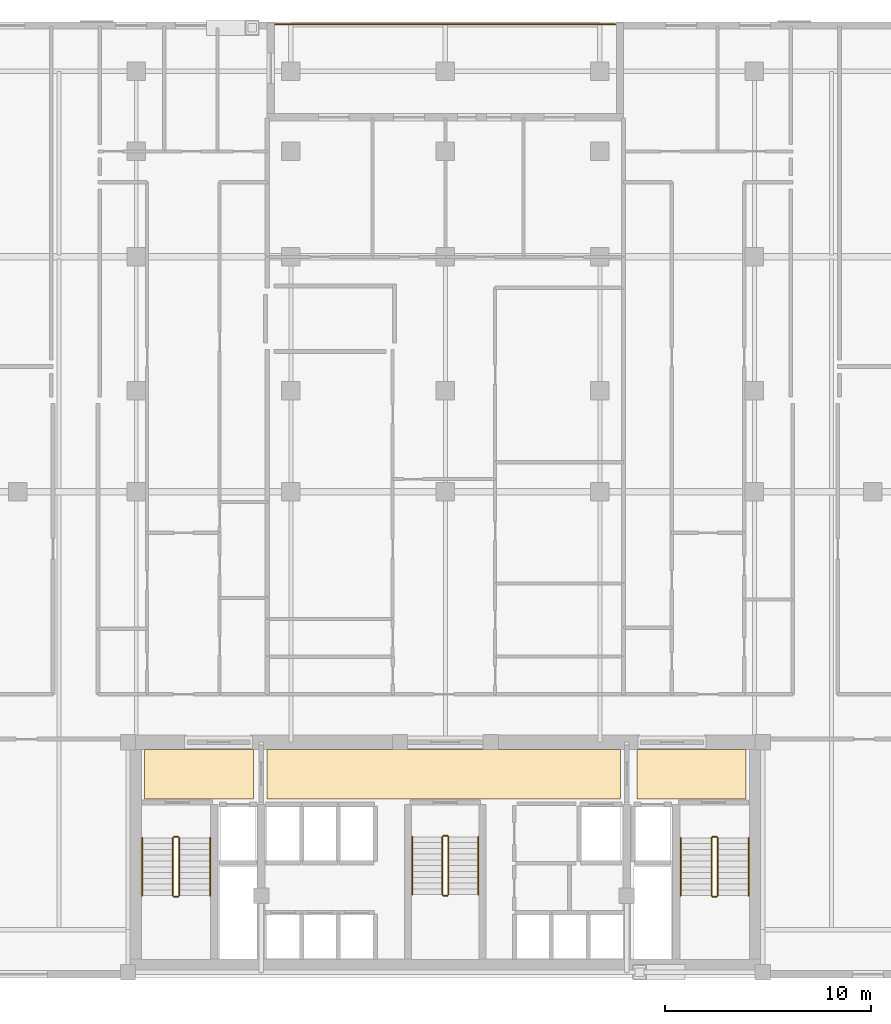
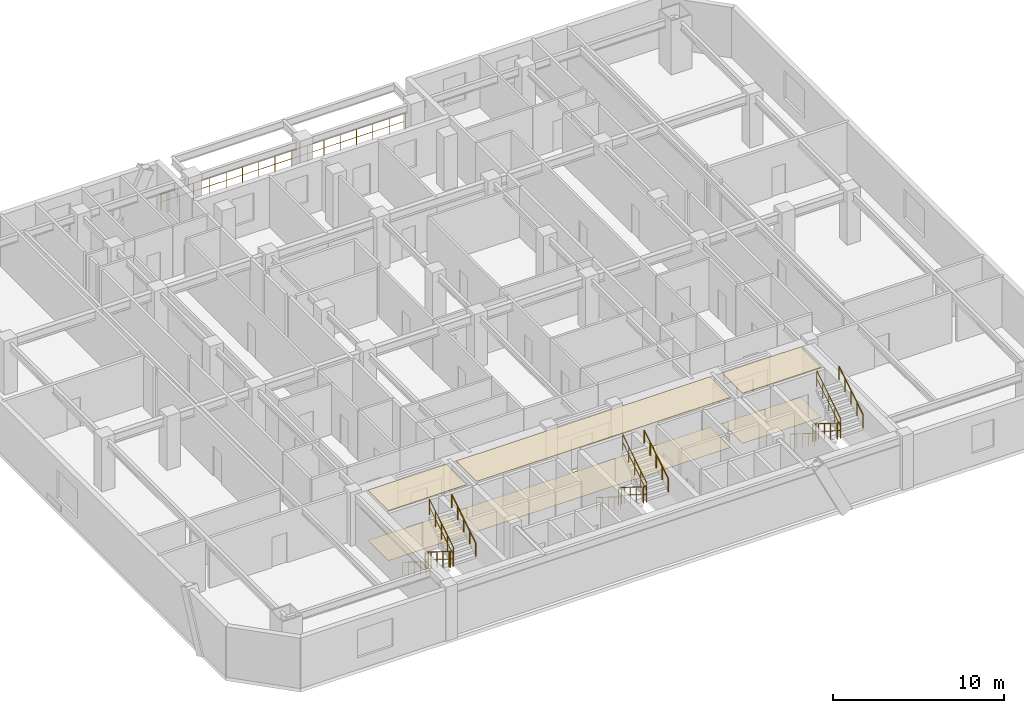
# One storey, part 9 of 9: 19 railings, 6 coverings.
"""IFC4 building model written with IfcOpenShell, lengths in metres."""

from ifc_helpers import new_model, si_unit, direction, frame, origin, origin_2d, place, context, subcontext, project, spatial, polyline, circle, outline, extrude, material, layer, layer_set, type_object, element, save


model = new_model("IFC4")

# Units and contexts
model_context = context("Model", 3, precision=1e-05, world=origin(), true_north=direction((0.0, 1.0)))
body_context = subcontext(model_context, "Body", "Model", "MODEL_VIEW")
ifc_project = project(units=[si_unit("LENGTHUNIT", "METRE"), si_unit("AREAUNIT", "SQUARE_METRE"), si_unit("VOLUMEUNIT", "CUBIC_METRE"), si_unit("PLANEANGLEUNIT", "RADIAN"), si_unit("MASSUNIT", "GRAM", prefix="KILO")], contexts=[model_context])

# Site, building, storey
site_placement = place(None, origin())
site = spatial("IfcSite", under=ifc_project, at=site_placement, CompositionType="ELEMENT")
building_placement = place(site_placement, origin())
building = spatial("IfcBuilding", under=site, at=building_placement, Name="Ventersveld Concourse Tower", CompositionType="ELEMENT")
storey_placement = place(building_placement, frame((0.0, 0.0, 68.300048828125)))
storey = spatial("IfcBuildingStorey", under=building, at=storey_placement, Name="L16", CompositionType="ELEMENT", Elevation=68.300048828125)

# Coverings
ifc_material_1 = material(Name="Mineral-fibre acoustic ceiling tile", Category="gypsum")
ifc_layer_1 = layer(ifc_material_1, 0.0400390625)
ifc_layer_set_1 = layer_set([ifc_layer_1], Name="Mineral-fibre acoustic ceiling tile")
covering_type_1 = type_object("IfcCoveringType", Name="COV-CEIL-ACOUSTIC", PredefinedType="CEILING", material=ifc_layer_set_1)
covering_1_placement = place(storey_placement, frame((0.0, 0.0, 3.56005859375)))
element("IfcCovering", 1, at=covering_1_placement, inside=storey, type_object=covering_type_1, Name="L16 North Lift Lobby Acoustic Ceiling", PredefinedType="CEILING", context=body_context, shape_type="SweptSolid", body=[
    extrude(outline(polyline([(20.10009765625, 8.699951171875), (37.25, 8.699951171875), (37.25, 11.10009765625), (20.10009765625, 11.10009765625), (20.10009765625, 8.699951171875)])), origin(), (0.0, 0.0, 1.0), 0.039794921875),
])
covering_2_placement = place(storey_placement, frame((0.0, 0.0, 3.56005859375)))
element("IfcCovering", 2, at=covering_2_placement, inside=storey, type_object=covering_type_1, Name="L16 West Firefighting Lobby Acoustic Ceiling", PredefinedType="CEILING", context=body_context, shape_type="SweptSolid", body=[
    extrude(outline(polyline([(14.14990234375, 8.699951171875), (19.449951171875, 8.699951171875), (19.449951171875, 11.10009765625), (14.14990234375, 11.10009765625), (14.14990234375, 8.699951171875)])), origin(), (0.0, 0.0, 1.0), 0.039794921875),
])
covering_3_placement = place(storey_placement, frame((0.0, 0.0, 3.56005859375)))
element("IfcCovering", 3, at=covering_3_placement, inside=storey, type_object=covering_type_1, Name="L16 East Firefighting Lobby Acoustic Ceiling", PredefinedType="CEILING", context=body_context, shape_type="SweptSolid", body=[
    extrude(outline(polyline([(38.050048828125, 8.699951171875), (43.35009765625, 8.699951171875), (43.35009765625, 11.10009765625), (38.050048828125, 11.10009765625), (38.050048828125, 8.699951171875)])), origin(), (0.0, 0.0, 1.0), 0.039794921875),
])
ifc_material_2 = material(Name="Polished Highveld granite terrazzo", Category="masonry")
ifc_layer_2 = layer(ifc_material_2, 0.02001953125)
ifc_layer_set_2 = layer_set([ifc_layer_2], Name="Polished Highveld granite terrazzo")
covering_type_2 = type_object("IfcCoveringType", Name="COV-FLOOR-TERRAZZO", PredefinedType="FLOORING", material=ifc_layer_set_2)
covering_4_placement = place(storey_placement, origin())
element("IfcCovering", 4, at=covering_4_placement, inside=storey, type_object=covering_type_2, Name="L16 North Lift Lobby Terrazzo Flooring", PredefinedType="FLOORING", context=body_context, shape_type="SweptSolid", body=[
    extrude(outline(polyline([(20.10009765625, 8.699951171875), (37.25, 8.699951171875), (37.25, 11.10009765625), (20.10009765625, 11.10009765625), (20.10009765625, 8.699951171875)])), origin(), (0.0, 0.0, 1.0), 0.02001953125),
])
covering_5_placement = place(storey_placement, origin())
element("IfcCovering", 5, at=covering_5_placement, inside=storey, type_object=covering_type_2, Name="L16 West Firefighting Lobby Terrazzo Flooring", PredefinedType="FLOORING", context=body_context, shape_type="SweptSolid", body=[
    extrude(outline(polyline([(14.14990234375, 8.699951171875), (19.449951171875, 8.699951171875), (19.449951171875, 11.10009765625), (14.14990234375, 11.10009765625), (14.14990234375, 8.699951171875)])), origin(), (0.0, 0.0, 1.0), 0.02001953125),
])
covering_6_placement = place(storey_placement, origin())
element("IfcCovering", 6, at=covering_6_placement, inside=storey, type_object=covering_type_2, Name="L16 East Firefighting Lobby Terrazzo Flooring", PredefinedType="FLOORING", context=body_context, shape_type="SweptSolid", body=[
    extrude(outline(polyline([(38.050048828125, 8.699951171875), (43.35009765625, 8.699951171875), (43.35009765625, 11.10009765625), (38.050048828125, 11.10009765625), (38.050048828125, 8.699951171875)])), origin(), (0.0, 0.0, 1.0), 0.02001953125),
])

# Railings
ifc_material_3 = material(Name="Brushed stainless steel 316", Category="steel")
railing_type_1 = type_object("IfcRailingType", Name="GD-BAL-115", PredefinedType="GUARDRAIL", material=ifc_material_3)
railing_1_placement = place(storey_placement, frame((15.530029296875, 6.800048828125, 0.175048828125)))
element("IfcRailing", 7, at=railing_1_placement, inside=storey, type_object=railing_type_1, Name="L16 ST-01 stair guard 1", PredefinedType="GUARDRAIL", context=body_context, shape_type="SweptSolid", body=[
    extrude(circle(Radius=0.02392578125, at=origin_2d()), frame((0.0, 0.0, 1.1259765625), z_axis=(0.0, -0.848002457836, 0.529992293815), x_axis=(1.0, 0.0, 0.0)), (0.0, 0.0, 1.0), 3.302001953125),
    extrude(circle(Radius=0.01611328125, at=origin_2d()), frame((0.0, 0.0, 0.574951171875), z_axis=(0.0, -0.848002457836, 0.529992293815), x_axis=(1.0, 0.0, 0.0)), (0.0, 0.0, 1.0), 3.302001953125),
    extrude(circle(Radius=0.02099609375, at=origin_2d()), origin(), (0.0, 0.0, 1.0), 1.101806640625),
    extrude(circle(Radius=0.02099609375, at=origin_2d()), frame((0.0, -0.699951171875, 0.4375)), (0.0, 0.0, 1.0), 1.101806640625),
    extrude(circle(Radius=0.02099609375, at=origin_2d()), frame((0.0, -1.39990234375, 0.875)), (0.0, 0.0, 1.0), 1.101806640625),
    extrude(circle(Radius=0.02099609375, at=origin_2d()), frame((0.0, -2.10009765625, 1.3125)), (0.0, 0.0, 1.0), 1.101806640625),
    extrude(circle(Radius=0.02099609375, at=origin_2d()), frame((0.0, -2.800048828125, 1.75)), (0.0, 0.0, 1.0), 1.101806640625),
])
railing_2_placement = place(storey_placement, frame((15.580078125, 3.949951171875, 1.925048828125)))
element("IfcRailing", 8, at=railing_2_placement, inside=storey, type_object=railing_type_1, Name="L16 ST-01 stair guard 2", PredefinedType="GUARDRAIL", context=body_context, shape_type="SweptSolid", body=[
    extrude(circle(Radius=0.02392578125, at=origin_2d()), frame((0.0, 0.0, 1.1259765625), z_axis=(1.0, 0.0, 0.0), x_axis=(0.0, 1.0, 0.0)), (0.0, 0.0, 1.0), 0.199951171875),
    extrude(circle(Radius=0.01611328125, at=origin_2d()), frame((0.0, 0.0, 0.574951171875), z_axis=(1.0, 0.0, 0.0), x_axis=(0.0, 1.0, 0.0)), (0.0, 0.0, 1.0), 0.199951171875),
    extrude(circle(Radius=0.02099609375, at=origin_2d()), origin(), (0.0, 0.0, 1.0), 1.101806640625),
    extrude(circle(Radius=0.02099609375, at=origin_2d()), frame((0.199951171875, 0.0, 0.0)), (0.0, 0.0, 1.0), 1.101806640625),
])
railing_3_placement = place(storey_placement, frame((15.830078125, 4.0, 2.099853515625)))
element("IfcRailing", 9, at=railing_3_placement, inside=storey, type_object=railing_type_1, Name="L16 ST-01 stair guard 3", PredefinedType="GUARDRAIL", context=body_context, shape_type="SweptSolid", body=[
    extrude(circle(Radius=0.02392578125, at=origin_2d()), frame((0.0, 0.0, 1.1259765625), z_axis=(0.0, 0.848002457836, 0.529992293815), x_axis=(-1.0, 0.0, 0.0)), (0.0, 0.0, 1.0), 3.302001953125),
    extrude(circle(Radius=0.01611328125, at=origin_2d()), frame((0.0, 0.0, 0.574951171875), z_axis=(0.0, 0.848002457836, 0.529992293815), x_axis=(-1.0, 0.0, 0.0)), (0.0, 0.0, 1.0), 3.302001953125),
    extrude(circle(Radius=0.02099609375, at=origin_2d()), origin(), (0.0, 0.0, 1.0), 1.101806640625),
    extrude(circle(Radius=0.02099609375, at=origin_2d()), frame((0.0, 0.699951171875, 0.4375)), (0.0, 0.0, 1.0), 1.101806640625),
    extrude(circle(Radius=0.02099609375, at=origin_2d()), frame((0.0, 1.39990234375, 0.875)), (0.0, 0.0, 1.0), 1.101806640625),
    extrude(circle(Radius=0.02099609375, at=origin_2d()), frame((0.0, 2.10009765625, 1.3125)), (0.0, 0.0, 1.0), 1.101806640625),
    extrude(circle(Radius=0.02099609375, at=origin_2d()), frame((0.0, 2.800048828125, 1.75)), (0.0, 0.0, 1.0), 1.101806640625),
])
railing_4_placement = place(storey_placement, frame((15.580078125, 6.85009765625, 0.0)))
element("IfcRailing", 10, at=railing_4_placement, inside=storey, type_object=railing_type_1, Name="L16 ST-01 stair guard 4", PredefinedType="GUARDRAIL", context=body_context, shape_type="SweptSolid", body=[
    extrude(circle(Radius=0.02392578125, at=origin_2d()), frame((0.0, 0.0, 1.1259765625), z_axis=(1.0, 0.0, 0.0), x_axis=(0.0, 1.0, 0.0)), (0.0, 0.0, 1.0), 0.199951171875),
    extrude(circle(Radius=0.01611328125, at=origin_2d()), frame((0.0, 0.0, 0.574951171875), z_axis=(1.0, 0.0, 0.0), x_axis=(0.0, 1.0, 0.0)), (0.0, 0.0, 1.0), 0.199951171875),
    extrude(circle(Radius=0.02099609375, at=origin_2d()), origin(), (0.0, 0.0, 1.0), 1.101806640625),
    extrude(circle(Radius=0.02099609375, at=origin_2d()), frame((0.199951171875, 0.0, 0.0)), (0.0, 0.0, 1.0), 1.101806640625),
])
railing_5_placement = place(storey_placement, frame((41.669921875, 6.800048828125, 0.175048828125)))
element("IfcRailing", 11, at=railing_5_placement, inside=storey, type_object=railing_type_1, Name="L16 ST-02 stair guard 1", PredefinedType="GUARDRAIL", context=body_context, shape_type="SweptSolid", body=[
    extrude(circle(Radius=0.02392578125, at=origin_2d()), frame((0.0, 0.0, 1.1259765625), z_axis=(0.0, -0.848002457836, 0.529992293815), x_axis=(1.0, 0.0, 0.0)), (0.0, 0.0, 1.0), 3.302001953125),
    extrude(circle(Radius=0.01611328125, at=origin_2d()), frame((0.0, 0.0, 0.574951171875), z_axis=(0.0, -0.848002457836, 0.529992293815), x_axis=(1.0, 0.0, 0.0)), (0.0, 0.0, 1.0), 3.302001953125),
    extrude(circle(Radius=0.02099609375, at=origin_2d()), origin(), (0.0, 0.0, 1.0), 1.101806640625),
    extrude(circle(Radius=0.02099609375, at=origin_2d()), frame((0.0, -0.699951171875, 0.4375)), (0.0, 0.0, 1.0), 1.101806640625),
    extrude(circle(Radius=0.02099609375, at=origin_2d()), frame((0.0, -1.39990234375, 0.875)), (0.0, 0.0, 1.0), 1.101806640625),
    extrude(circle(Radius=0.02099609375, at=origin_2d()), frame((0.0, -2.10009765625, 1.3125)), (0.0, 0.0, 1.0), 1.101806640625),
    extrude(circle(Radius=0.02099609375, at=origin_2d()), frame((0.0, -2.800048828125, 1.75)), (0.0, 0.0, 1.0), 1.101806640625),
])
railing_6_placement = place(storey_placement, frame((41.719970703125, 3.949951171875, 1.925048828125)))
element("IfcRailing", 12, at=railing_6_placement, inside=storey, type_object=railing_type_1, Name="L16 ST-02 stair guard 2", PredefinedType="GUARDRAIL", context=body_context, shape_type="SweptSolid", body=[
    extrude(circle(Radius=0.02392578125, at=origin_2d()), frame((0.0, 0.0, 1.1259765625), z_axis=(1.0, 0.0, 0.0), x_axis=(0.0, 1.0, 0.0)), (0.0, 0.0, 1.0), 0.199951171875),
    extrude(circle(Radius=0.01611328125, at=origin_2d()), frame((0.0, 0.0, 0.574951171875), z_axis=(1.0, 0.0, 0.0), x_axis=(0.0, 1.0, 0.0)), (0.0, 0.0, 1.0), 0.199951171875),
    extrude(circle(Radius=0.02099609375, at=origin_2d()), origin(), (0.0, 0.0, 1.0), 1.101806640625),
    extrude(circle(Radius=0.02099609375, at=origin_2d()), frame((0.199951171875, 0.0, 0.0)), (0.0, 0.0, 1.0), 1.101806640625),
])
railing_7_placement = place(storey_placement, frame((41.969970703125, 4.0, 2.099853515625)))
element("IfcRailing", 13, at=railing_7_placement, inside=storey, type_object=railing_type_1, Name="L16 ST-02 stair guard 3", PredefinedType="GUARDRAIL", context=body_context, shape_type="SweptSolid", body=[
    extrude(circle(Radius=0.02392578125, at=origin_2d()), frame((0.0, 0.0, 1.1259765625), z_axis=(0.0, 0.848002457836, 0.529992293815), x_axis=(-1.0, 0.0, 0.0)), (0.0, 0.0, 1.0), 3.302001953125),
    extrude(circle(Radius=0.01611328125, at=origin_2d()), frame((0.0, 0.0, 0.574951171875), z_axis=(0.0, 0.848002457836, 0.529992293815), x_axis=(-1.0, 0.0, 0.0)), (0.0, 0.0, 1.0), 3.302001953125),
    extrude(circle(Radius=0.02099609375, at=origin_2d()), origin(), (0.0, 0.0, 1.0), 1.101806640625),
    extrude(circle(Radius=0.02099609375, at=origin_2d()), frame((0.0, 0.699951171875, 0.4375)), (0.0, 0.0, 1.0), 1.101806640625),
    extrude(circle(Radius=0.02099609375, at=origin_2d()), frame((0.0, 1.39990234375, 0.875)), (0.0, 0.0, 1.0), 1.101806640625),
    extrude(circle(Radius=0.02099609375, at=origin_2d()), frame((0.0, 2.10009765625, 1.3125)), (0.0, 0.0, 1.0), 1.101806640625),
    extrude(circle(Radius=0.02099609375, at=origin_2d()), frame((0.0, 2.800048828125, 1.75)), (0.0, 0.0, 1.0), 1.101806640625),
])
railing_8_placement = place(storey_placement, frame((41.719970703125, 6.85009765625, 0.0)))
element("IfcRailing", 14, at=railing_8_placement, inside=storey, type_object=railing_type_1, Name="L16 ST-02 stair guard 4", PredefinedType="GUARDRAIL", context=body_context, shape_type="SweptSolid", body=[
    extrude(circle(Radius=0.02392578125, at=origin_2d()), frame((0.0, 0.0, 1.1259765625), z_axis=(1.0, 0.0, 0.0), x_axis=(0.0, 1.0, 0.0)), (0.0, 0.0, 1.0), 0.199951171875),
    extrude(circle(Radius=0.01611328125, at=origin_2d()), frame((0.0, 0.0, 0.574951171875), z_axis=(1.0, 0.0, 0.0), x_axis=(0.0, 1.0, 0.0)), (0.0, 0.0, 1.0), 0.199951171875),
    extrude(circle(Radius=0.02099609375, at=origin_2d()), origin(), (0.0, 0.0, 1.0), 1.101806640625),
    extrude(circle(Radius=0.02099609375, at=origin_2d()), frame((0.199951171875, 0.0, 0.0)), (0.0, 0.0, 1.0), 1.101806640625),
])
railing_9_placement = place(storey_placement, frame((28.60009765625, 6.85009765625, 0.175048828125)))
element("IfcRailing", 15, at=railing_9_placement, inside=storey, type_object=railing_type_1, Name="L16 ST-03 stair guard 1", PredefinedType="GUARDRAIL", context=body_context, shape_type="SweptSolid", body=[
    extrude(circle(Radius=0.02392578125, at=origin_2d()), frame((0.0, 0.0, 1.1259765625), z_axis=(0.0, -0.848002457836, 0.529992293815), x_axis=(1.0, 0.0, 0.0)), (0.0, 0.0, 1.0), 3.302001953125),
    extrude(circle(Radius=0.01611328125, at=origin_2d()), frame((0.0, 0.0, 0.574951171875), z_axis=(0.0, -0.848002457836, 0.529992293815), x_axis=(1.0, 0.0, 0.0)), (0.0, 0.0, 1.0), 3.302001953125),
    extrude(circle(Radius=0.02099609375, at=origin_2d()), origin(), (0.0, 0.0, 1.0), 1.101806640625),
    extrude(circle(Radius=0.02099609375, at=origin_2d()), frame((0.0, -0.699951171875, 0.4375)), (0.0, 0.0, 1.0), 1.101806640625),
    extrude(circle(Radius=0.02099609375, at=origin_2d()), frame((0.0, -1.39990234375, 0.875)), (0.0, 0.0, 1.0), 1.101806640625),
    extrude(circle(Radius=0.02099609375, at=origin_2d()), frame((0.0, -2.10009765625, 1.3125)), (0.0, 0.0, 1.0), 1.101806640625),
    extrude(circle(Radius=0.02099609375, at=origin_2d()), frame((0.0, -2.800048828125, 1.75)), (0.0, 0.0, 1.0), 1.101806640625),
])
railing_10_placement = place(storey_placement, frame((28.64990234375, 4.0, 1.925048828125)))
element("IfcRailing", 16, at=railing_10_placement, inside=storey, type_object=railing_type_1, Name="L16 ST-03 stair guard 2", PredefinedType="GUARDRAIL", context=body_context, shape_type="SweptSolid", body=[
    extrude(circle(Radius=0.02392578125, at=origin_2d()), frame((0.0, 0.0, 1.1259765625), z_axis=(1.0, 0.0, 0.0), x_axis=(0.0, 1.0, 0.0)), (0.0, 0.0, 1.0), 0.2001953125),
    extrude(circle(Radius=0.01611328125, at=origin_2d()), frame((0.0, 0.0, 0.574951171875), z_axis=(1.0, 0.0, 0.0), x_axis=(0.0, 1.0, 0.0)), (0.0, 0.0, 1.0), 0.2001953125),
    extrude(circle(Radius=0.02099609375, at=origin_2d()), origin(), (0.0, 0.0, 1.0), 1.101806640625),
    extrude(circle(Radius=0.02099609375, at=origin_2d()), frame((0.2001953125, 0.0, 0.0)), (0.0, 0.0, 1.0), 1.101806640625),
])
railing_11_placement = place(storey_placement, frame((28.89990234375, 4.050048828125, 2.099853515625)))
element("IfcRailing", 17, at=railing_11_placement, inside=storey, type_object=railing_type_1, Name="L16 ST-03 stair guard 3", PredefinedType="GUARDRAIL", context=body_context, shape_type="SweptSolid", body=[
    extrude(circle(Radius=0.02392578125, at=origin_2d()), frame((0.0, 0.0, 1.1259765625), z_axis=(0.0, 0.848002457836, 0.529992293815), x_axis=(-1.0, 0.0, 0.0)), (0.0, 0.0, 1.0), 3.302001953125),
    extrude(circle(Radius=0.01611328125, at=origin_2d()), frame((0.0, 0.0, 0.574951171875), z_axis=(0.0, 0.848002457836, 0.529992293815), x_axis=(-1.0, 0.0, 0.0)), (0.0, 0.0, 1.0), 3.302001953125),
    extrude(circle(Radius=0.02099609375, at=origin_2d()), origin(), (0.0, 0.0, 1.0), 1.101806640625),
    extrude(circle(Radius=0.02099609375, at=origin_2d()), frame((0.0, 0.699951171875, 0.4375)), (0.0, 0.0, 1.0), 1.101806640625),
    extrude(circle(Radius=0.02099609375, at=origin_2d()), frame((0.0, 1.39990234375, 0.875)), (0.0, 0.0, 1.0), 1.101806640625),
    extrude(circle(Radius=0.02099609375, at=origin_2d()), frame((0.0, 2.10009765625, 1.3125)), (0.0, 0.0, 1.0), 1.101806640625),
    extrude(circle(Radius=0.02099609375, at=origin_2d()), frame((0.0, 2.800048828125, 1.75)), (0.0, 0.0, 1.0), 1.101806640625),
])
railing_12_placement = place(storey_placement, frame((28.64990234375, 6.89990234375, 0.0)))
element("IfcRailing", 18, at=railing_12_placement, inside=storey, type_object=railing_type_1, Name="L16 ST-03 stair guard 4", PredefinedType="GUARDRAIL", context=body_context, shape_type="SweptSolid", body=[
    extrude(circle(Radius=0.02392578125, at=origin_2d()), frame((0.0, 0.0, 1.1259765625), z_axis=(1.0, 0.0, 0.0), x_axis=(0.0, 1.0, 0.0)), (0.0, 0.0, 1.0), 0.2001953125),
    extrude(circle(Radius=0.01611328125, at=origin_2d()), frame((0.0, 0.0, 0.574951171875), z_axis=(1.0, 0.0, 0.0), x_axis=(0.0, 1.0, 0.0)), (0.0, 0.0, 1.0), 0.2001953125),
    extrude(circle(Radius=0.02099609375, at=origin_2d()), origin(), (0.0, 0.0, 1.0), 1.101806640625),
    extrude(circle(Radius=0.02099609375, at=origin_2d()), frame((0.2001953125, 0.0, 0.0)), (0.0, 0.0, 1.0), 1.101806640625),
])
railing_type_2 = type_object("IfcRailingType", Name="GD-TER-120", PredefinedType="GUARDRAIL", material=ifc_material_3)
railing_13_placement = place(storey_placement, frame((20.5, 46.280029296875, 0.0)))
element("IfcRailing", 19, at=railing_13_placement, inside=storey, type_object=railing_type_2, Name="L16 Outdoor Terrace Guardrail NOTCH-N", PredefinedType="GUARDRAIL", context=body_context, shape_type="SweptSolid", body=[
    extrude(circle(Radius=0.02392578125, at=origin_2d()), frame((0.0, 0.0, 1.17578125), z_axis=(1.0, 0.0, 0.0), x_axis=(0.0, 1.0, 0.0)), (0.0, 0.0, 1.0), 16.5),
    extrude(circle(Radius=0.01611328125, at=origin_2d()), frame((0.0, 0.0, 0.60009765625), z_axis=(1.0, 0.0, 0.0), x_axis=(0.0, 1.0, 0.0)), (0.0, 0.0, 1.0), 16.5),
    extrude(circle(Radius=0.02099609375, at=origin_2d()), origin(), (0.0, 0.0, 1.0), 1.15185546875),
    extrude(circle(Radius=0.02099609375, at=origin_2d()), frame((1.10009765625, 0.0, 0.0)), (0.0, 0.0, 1.0), 1.15185546875),
    extrude(circle(Radius=0.02099609375, at=origin_2d()), frame((2.199951171875, 0.0, 0.0)), (0.0, 0.0, 1.0), 1.15185546875),
    extrude(circle(Radius=0.02099609375, at=origin_2d()), frame((3.300048828125, 0.0, 0.0)), (0.0, 0.0, 1.0), 1.15185546875),
    extrude(circle(Radius=0.02099609375, at=origin_2d()), frame((4.39990234375, 0.0, 0.0)), (0.0, 0.0, 1.0), 1.15185546875),
    extrude(circle(Radius=0.02099609375, at=origin_2d()), frame((5.5, 0.0, 0.0)), (0.0, 0.0, 1.0), 1.15185546875),
    extrude(circle(Radius=0.02099609375, at=origin_2d()), frame((6.60009765625, 0.0, 0.0)), (0.0, 0.0, 1.0), 1.15185546875),
    extrude(circle(Radius=0.02099609375, at=origin_2d()), frame((7.699951171875, 0.0, 0.0)), (0.0, 0.0, 1.0), 1.15185546875),
    extrude(circle(Radius=0.02099609375, at=origin_2d()), frame((8.800048828125, 0.0, 0.0)), (0.0, 0.0, 1.0), 1.15185546875),
    extrude(circle(Radius=0.02099609375, at=origin_2d()), frame((9.89990234375, 0.0, 0.0)), (0.0, 0.0, 1.0), 1.15185546875),
    extrude(circle(Radius=0.02099609375, at=origin_2d()), frame((11.0, 0.0, 0.0)), (0.0, 0.0, 1.0), 1.15185546875),
    extrude(circle(Radius=0.02099609375, at=origin_2d()), frame((12.10009765625, 0.0, 0.0)), (0.0, 0.0, 1.0), 1.15185546875),
    extrude(circle(Radius=0.02099609375, at=origin_2d()), frame((13.199951171875, 0.0, 0.0)), (0.0, 0.0, 1.0), 1.15185546875),
    extrude(circle(Radius=0.02099609375, at=origin_2d()), frame((14.300048828125, 0.0, 0.0)), (0.0, 0.0, 1.0), 1.15185546875),
    extrude(circle(Radius=0.02099609375, at=origin_2d()), frame((15.39990234375, 0.0, 0.0)), (0.0, 0.0, 1.0), 1.15185546875),
    extrude(circle(Radius=0.02099609375, at=origin_2d()), frame((16.5, 0.0, 0.0)), (0.0, 0.0, 1.0), 1.15185546875),
])
railing_type_3 = type_object("IfcRailingType", Name="HR-RMP-095", PredefinedType="HANDRAIL", material=ifc_material_3)
railing_14_placement = place(storey_placement, frame((14.030029296875, 6.800048828125, 0.175048828125)))
element("IfcRailing", 20, at=railing_14_placement, inside=storey, type_object=railing_type_3, Name="L16 ST-01 stair handrail 1", PredefinedType="HANDRAIL", context=body_context, shape_type="SweptSolid", body=[
    extrude(circle(Radius=0.02392578125, at=origin_2d()), frame((0.0, 0.0, 0.92578125), z_axis=(0.0, -0.848002457836, 0.529992293815), x_axis=(1.0, 0.0, 0.0)), (0.0, 0.0, 1.0), 3.302001953125),
    extrude(circle(Radius=0.02099609375, at=origin_2d()), origin(), (0.0, 0.0, 1.0), 0.90185546875),
    extrude(circle(Radius=0.02099609375, at=origin_2d()), frame((0.0, -0.699951171875, 0.4375)), (0.0, 0.0, 1.0), 0.90185546875),
    extrude(circle(Radius=0.02099609375, at=origin_2d()), frame((0.0, -1.39990234375, 0.875)), (0.0, 0.0, 1.0), 0.90185546875),
    extrude(circle(Radius=0.02099609375, at=origin_2d()), frame((0.0, -2.10009765625, 1.3125)), (0.0, 0.0, 1.0), 0.90185546875),
    extrude(circle(Radius=0.02099609375, at=origin_2d()), frame((0.0, -2.800048828125, 1.75)), (0.0, 0.0, 1.0), 0.90185546875),
])
railing_15_placement = place(storey_placement, frame((17.330078125, 4.0, 2.099853515625)))
element("IfcRailing", 21, at=railing_15_placement, inside=storey, type_object=railing_type_3, Name="L16 ST-01 stair handrail 2", PredefinedType="HANDRAIL", context=body_context, shape_type="SweptSolid", body=[
    extrude(circle(Radius=0.02392578125, at=origin_2d()), frame((0.0, 0.0, 0.92578125), z_axis=(0.0, 0.848002457836, 0.529992293815), x_axis=(-1.0, 0.0, 0.0)), (0.0, 0.0, 1.0), 3.302001953125),
    extrude(circle(Radius=0.02099609375, at=origin_2d()), origin(), (0.0, 0.0, 1.0), 0.90185546875),
    extrude(circle(Radius=0.02099609375, at=origin_2d()), frame((0.0, 0.699951171875, 0.4375)), (0.0, 0.0, 1.0), 0.90185546875),
    extrude(circle(Radius=0.02099609375, at=origin_2d()), frame((0.0, 1.39990234375, 0.875)), (0.0, 0.0, 1.0), 0.90185546875),
    extrude(circle(Radius=0.02099609375, at=origin_2d()), frame((0.0, 2.10009765625, 1.3125)), (0.0, 0.0, 1.0), 0.90185546875),
    extrude(circle(Radius=0.02099609375, at=origin_2d()), frame((0.0, 2.800048828125, 1.75)), (0.0, 0.0, 1.0), 0.90185546875),
])
railing_16_placement = place(storey_placement, frame((40.169921875, 6.800048828125, 0.175048828125)))
element("IfcRailing", 22, at=railing_16_placement, inside=storey, type_object=railing_type_3, Name="L16 ST-02 stair handrail 1", PredefinedType="HANDRAIL", context=body_context, shape_type="SweptSolid", body=[
    extrude(circle(Radius=0.02392578125, at=origin_2d()), frame((0.0, 0.0, 0.92578125), z_axis=(0.0, -0.848002457836, 0.529992293815), x_axis=(1.0, 0.0, 0.0)), (0.0, 0.0, 1.0), 3.302001953125),
    extrude(circle(Radius=0.02099609375, at=origin_2d()), origin(), (0.0, 0.0, 1.0), 0.90185546875),
    extrude(circle(Radius=0.02099609375, at=origin_2d()), frame((0.0, -0.699951171875, 0.4375)), (0.0, 0.0, 1.0), 0.90185546875),
    extrude(circle(Radius=0.02099609375, at=origin_2d()), frame((0.0, -1.39990234375, 0.875)), (0.0, 0.0, 1.0), 0.90185546875),
    extrude(circle(Radius=0.02099609375, at=origin_2d()), frame((0.0, -2.10009765625, 1.3125)), (0.0, 0.0, 1.0), 0.90185546875),
    extrude(circle(Radius=0.02099609375, at=origin_2d()), frame((0.0, -2.800048828125, 1.75)), (0.0, 0.0, 1.0), 0.90185546875),
])
railing_17_placement = place(storey_placement, frame((43.469970703125, 4.0, 2.099853515625)))
element("IfcRailing", 23, at=railing_17_placement, inside=storey, type_object=railing_type_3, Name="L16 ST-02 stair handrail 2", PredefinedType="HANDRAIL", context=body_context, shape_type="SweptSolid", body=[
    extrude(circle(Radius=0.02392578125, at=origin_2d()), frame((0.0, 0.0, 0.92578125), z_axis=(0.0, 0.848002457836, 0.529992293815), x_axis=(-1.0, 0.0, 0.0)), (0.0, 0.0, 1.0), 3.302001953125),
    extrude(circle(Radius=0.02099609375, at=origin_2d()), origin(), (0.0, 0.0, 1.0), 0.90185546875),
    extrude(circle(Radius=0.02099609375, at=origin_2d()), frame((0.0, 0.699951171875, 0.4375)), (0.0, 0.0, 1.0), 0.90185546875),
    extrude(circle(Radius=0.02099609375, at=origin_2d()), frame((0.0, 1.39990234375, 0.875)), (0.0, 0.0, 1.0), 0.90185546875),
    extrude(circle(Radius=0.02099609375, at=origin_2d()), frame((0.0, 2.10009765625, 1.3125)), (0.0, 0.0, 1.0), 0.90185546875),
    extrude(circle(Radius=0.02099609375, at=origin_2d()), frame((0.0, 2.800048828125, 1.75)), (0.0, 0.0, 1.0), 0.90185546875),
])
railing_18_placement = place(storey_placement, frame((27.14990234375, 6.85009765625, 0.175048828125)))
element("IfcRailing", 24, at=railing_18_placement, inside=storey, type_object=railing_type_3, Name="L16 ST-03 stair handrail 1", PredefinedType="HANDRAIL", context=body_context, shape_type="SweptSolid", body=[
    extrude(circle(Radius=0.02392578125, at=origin_2d()), frame((0.0, 0.0, 0.92578125), z_axis=(0.0, -0.848002457836, 0.529992293815), x_axis=(1.0, 0.0, 0.0)), (0.0, 0.0, 1.0), 3.302001953125),
    extrude(circle(Radius=0.02099609375, at=origin_2d()), origin(), (0.0, 0.0, 1.0), 0.90185546875),
    extrude(circle(Radius=0.02099609375, at=origin_2d()), frame((0.0, -0.699951171875, 0.4375)), (0.0, 0.0, 1.0), 0.90185546875),
    extrude(circle(Radius=0.02099609375, at=origin_2d()), frame((0.0, -1.39990234375, 0.875)), (0.0, 0.0, 1.0), 0.90185546875),
    extrude(circle(Radius=0.02099609375, at=origin_2d()), frame((0.0, -2.10009765625, 1.3125)), (0.0, 0.0, 1.0), 0.90185546875),
    extrude(circle(Radius=0.02099609375, at=origin_2d()), frame((0.0, -2.800048828125, 1.75)), (0.0, 0.0, 1.0), 0.90185546875),
])
railing_19_placement = place(storey_placement, frame((30.35009765625, 4.050048828125, 2.099853515625)))
element("IfcRailing", 25, at=railing_19_placement, inside=storey, type_object=railing_type_3, Name="L16 ST-03 stair handrail 2", PredefinedType="HANDRAIL", context=body_context, shape_type="SweptSolid", body=[
    extrude(circle(Radius=0.02392578125, at=origin_2d()), frame((0.0, 0.0, 0.92578125), z_axis=(0.0, 0.848002457836, 0.529992293815), x_axis=(-1.0, 0.0, 0.0)), (0.0, 0.0, 1.0), 3.302001953125),
    extrude(circle(Radius=0.02099609375, at=origin_2d()), origin(), (0.0, 0.0, 1.0), 0.90185546875),
    extrude(circle(Radius=0.02099609375, at=origin_2d()), frame((0.0, 0.699951171875, 0.4375)), (0.0, 0.0, 1.0), 0.90185546875),
    extrude(circle(Radius=0.02099609375, at=origin_2d()), frame((0.0, 1.39990234375, 0.875)), (0.0, 0.0, 1.0), 0.90185546875),
    extrude(circle(Radius=0.02099609375, at=origin_2d()), frame((0.0, 2.10009765625, 1.3125)), (0.0, 0.0, 1.0), 0.90185546875),
    extrude(circle(Radius=0.02099609375, at=origin_2d()), frame((0.0, 2.800048828125, 1.75)), (0.0, 0.0, 1.0), 0.90185546875),
])

save(model, "model.ifc")
